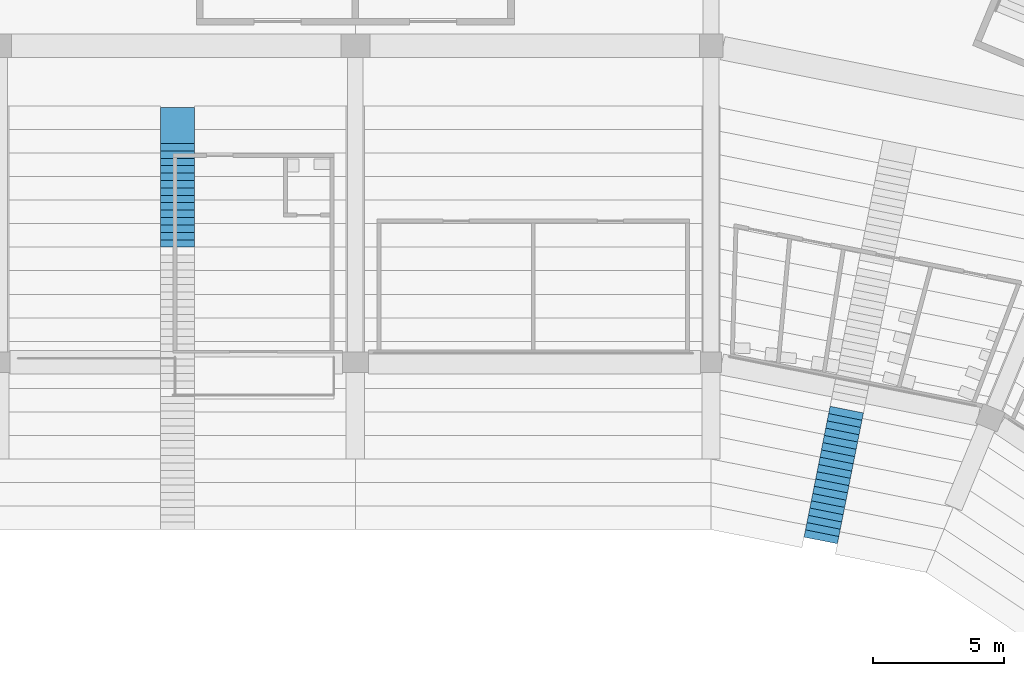
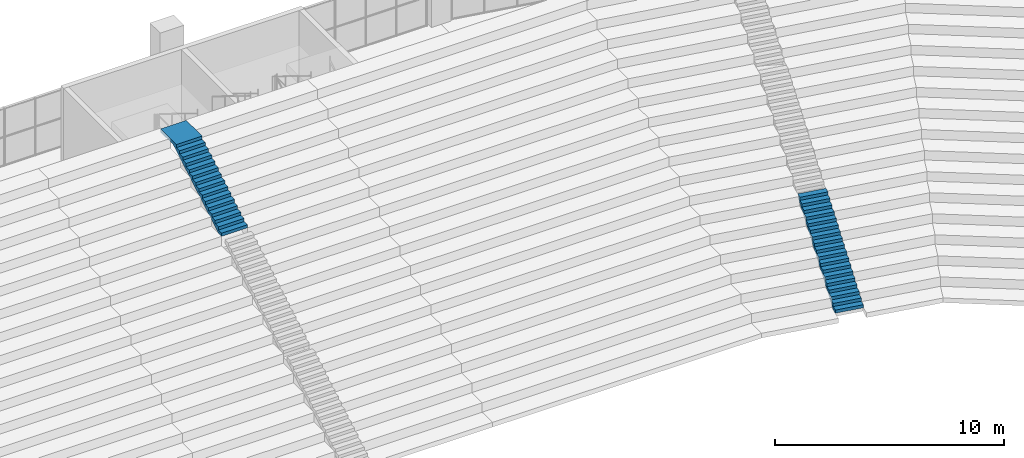
# One storey, part 205 of 249: 2 stair flights, 2 elements without a shape of their own.
"""IFC4 building model written with IfcOpenShell, lengths in metres."""

import ifcopenshell
import ifcopenshell.guid

model = None  # the IFC model being written
_history = None  # IfcOwnerHistory: only IFC2X3 demands one
_inside = {}  # id of a spatial element -> (the spatial element, [elements in it])
_under = {}  # id of a project, library or spatial element -> (it, [spatial elements below it])
_declared = {}  # id of a project -> (the project, [libraries it declares])
_typed = {}  # id of a type object -> (the type object, [elements of that type])
_made_of = {}  # id of a material, layer set ... -> (it, [elements and type objects made of it])


def new_model(schema):
    """Start an empty IFC model of exactly this schema.

    Asked for "IFC4X3", IfcOpenShell would pick the latest addendum, in which some entities
    have other attributes; the version numbers below select the first issue.
    IFC2X3 requires an IfcOwnerHistory on every rooted entity: one is made here for all.
    """
    global model, _history
    if schema == "IFC4X3":
        model = ifcopenshell.file(schema_version=(4, 3, 0, 0))
    else:
        model = ifcopenshell.file(schema=schema)
    _inside.clear()
    _under.clear()
    _declared.clear()
    _typed.clear()
    _made_of.clear()
    _history = None
    if model.schema == "IFC2X3":
        org = make("IfcOrganization", Name="unknown")
        user = make(
            "IfcPersonAndOrganization",
            ThePerson=make("IfcPerson", FamilyName="unknown"),
            TheOrganization=org,
        )
        app = make(
            "IfcApplication",
            ApplicationDeveloper=org,
            Version="unknown",
            ApplicationFullName="unknown",
            ApplicationIdentifier="unknown",
        )
        _history = make(
            "IfcOwnerHistory",
            OwningUser=user,
            OwningApplication=app,
            ChangeAction="ADDED",
            CreationDate=0,
        )
    return model


def make(cls, **values):
    """One entity of the class cls with the attributes given. An attribute that is None is left unset."""
    return model.create_entity(
        cls, **{name: value for name, value in values.items() if value is not None}
    )


def rooted(cls, **values):
    """An entity with a GlobalId (a new one), such as an element, a storey or a relation."""
    return make(cls, GlobalId=ifcopenshell.guid.new(), OwnerHistory=_history, **values)


def si_unit(unit_type, name, prefix=None):
    """IfcSIUnit, for example si_unit("LENGTHUNIT", "METRE", prefix="MILLI")."""
    return make("IfcSIUnit", UnitType=unit_type, Prefix=prefix, Name=name)


def assignment(units):
    """IfcUnitAssignment: the units of a project."""
    return None if units is None else make("IfcUnitAssignment", Units=units)


def point(xyz):
    """IfcCartesianPoint."""
    return None if xyz is None else make("IfcCartesianPoint", Coordinates=xyz)


def direction(xyz):
    """IfcDirection."""
    return None if xyz is None else make("IfcDirection", DirectionRatios=xyz)


def frame(location, z_axis=None, x_axis=None):
    """IfcAxis2Placement3D, a coordinate frame: its origin and axes. An axis left out is left unset."""
    return make(
        "IfcAxis2Placement3D",
        Location=point(location),
        Axis=direction(z_axis),
        RefDirection=direction(x_axis),
    )


def origin():
    """The frame at (0, 0, 0) with its axes left unset."""
    return frame((0.0, 0.0, 0.0))


def place(relative_to, where):
    """IfcLocalPlacement: puts the frame where relative to a parent placement (None: the world)."""
    return make(
        "IfcLocalPlacement", PlacementRelTo=relative_to, RelativePlacement=where
    )


def context(
    kind, dimensions, precision=None, world=None, true_north=None, identifier=None
):
    """IfcGeometricRepresentationContext, for example the 3D "Model" context."""
    return make(
        "IfcGeometricRepresentationContext",
        ContextIdentifier=identifier,
        ContextType=kind,
        CoordinateSpaceDimension=dimensions,
        Precision=precision,
        WorldCoordinateSystem=world,
        TrueNorth=true_north,
    )


def subcontext(parent, identifier, kind, view, scale=None):
    """IfcGeometricRepresentationSubContext, for example "Body" below "Model"."""
    return make(
        "IfcGeometricRepresentationSubContext",
        ContextIdentifier=identifier,
        ContextType=kind,
        ParentContext=parent,
        TargetScale=scale,
        TargetView=view,
    )


def project(units=None, contexts=None):
    """IfcProject with its units and contexts."""
    return rooted(
        "IfcProject",
        Name="project",
        RepresentationContexts=contexts,
        UnitsInContext=assignment(units),
    )


def spatial(cls, under=None, at=None, **own):
    """A site, building, storey or space (cls), placed at a placement, below another one or the project."""
    s = rooted(cls, ObjectPlacement=at, **own)
    if under is not None:
        _under.setdefault(under.id(), (under, []))[1].append(s)
    return s


def faces_of(points, faces, orient=None, outer=None):
    """IfcFace entities. A face is a list of loops; a loop is a list of indices into points, from 0.

    orient and outer hold one flag for each loop. By default every Orientation is true, the
    first loop of a face is its IfcFaceOuterBound and the others are IfcFaceBound.
    """
    made = []
    for i, loops in enumerate(faces):
        bounds = []
        for j, loop in enumerate(loops):
            is_outer = j == 0 if outer is None else outer[i][j]
            bounds.append(
                make(
                    "IfcFaceOuterBound" if is_outer else "IfcFaceBound",
                    Bound=make("IfcPolyLoop", Polygon=[points[k] for k in loop]),
                    Orientation=True if orient is None else orient[i][j],
                )
            )
        made.append(make("IfcFace", Bounds=bounds))
    return made


def faceted_brep(points, faces, orient=None, outer=None, voids=None):
    """IfcFacetedBrep: a solid bounded by flat faces; with voids (closed shells), ...WithVoids."""
    shared = [point(p) for p in points]
    hull = make("IfcClosedShell", CfsFaces=faces_of(shared, faces, orient, outer))
    if voids is None:
        return make("IfcFacetedBrep", Outer=hull)
    return make(
        "IfcFacetedBrepWithVoids",
        Outer=hull,
        Voids=[
            make(cls, CfsFaces=faces_of(shared, fs, o, b)) for cls, fs, o, b in voids
        ],
    )


def shape(context_of_items, identifier, shape_type, items):
    """IfcShapeRepresentation: the items that make up one representation, for example the "Body"."""
    return make(
        "IfcShapeRepresentation",
        ContextOfItems=context_of_items,
        RepresentationIdentifier=identifier,
        RepresentationType=shape_type,
        Items=items,
    )


def material(Name=None, Category=None):
    """IfcMaterial."""
    return make("IfcMaterial", Name=Name, Category=Category)


def made_of(thing, what):
    """Note that an element or type object is made of a material, layer set ...; save() writes the relation."""
    if what is not None:
        _made_of.setdefault(what.id(), (what, []))[1].append(thing)
    return thing


def type_object(cls, material=None, **own):
    """A type object (cls), such as IfcWallType, which elements share."""
    return made_of(rooted(cls, **own), material)


def element(
    cls,
    number,
    at=None,
    inside=None,
    cuts=None,
    type_object=None,
    material=None,
    context=None,
    identifier="Body",
    shape_type=None,
    held_by="IfcProductDefinitionShape",
    body=None,
    shapes=None,
    **own,
):
    """One element of the class cls, such as IfcWall. Its Tag is "e" and its number.

    at: its placement. inside: the storey or other place that contains it. cuts: it is an
    opening in that element (IfcRelVoidsElement). A single representation is given by context,
    identifier, shape_type and body (its items); several are given by shapes. held_by: the class
    of the entity that holds the representations. save() writes the other relations.
    """
    e = rooted(cls, Tag="e%d" % number, ObjectPlacement=at, **own)
    if body is not None:
        shapes = [shape(context, identifier, shape_type, body)]
    if shapes is not None:
        e.Representation = make(held_by, Representations=shapes)
    if inside is not None:
        _inside.setdefault(inside.id(), (inside, []))[1].append(e)
    if cuts is not None:
        rooted(
            "IfcRelVoidsElement", RelatingBuildingElement=cuts, RelatedOpeningElement=e
        )
    if type_object is not None:
        _typed.setdefault(type_object.id(), (type_object, []))[1].append(e)
    return made_of(e, material)


def aggregate(whole, parts):
    """IfcRelAggregates: a whole, such as a stair, and the parts it consists of."""
    return rooted("IfcRelAggregates", RelatingObject=whole, RelatedObjects=parts)


def save(model, path):
    """Write the relations noted so far, then the file.

    IfcRelAggregates (storeys below a building ...), IfcRelContainedInSpatialStructure (elements
    in a storey), IfcRelDefinesByType, IfcRelAssociatesMaterial and IfcRelDeclares: one each for
    every whole, place, type object, material and project.
    """
    for whole, parts in _under.values():
        aggregate(whole, parts)
    for where, things in _inside.values():
        rooted(
            "IfcRelContainedInSpatialStructure",
            RelatedElements=things,
            RelatingStructure=where,
        )
    for kind, things in _typed.values():
        rooted("IfcRelDefinesByType", RelatedObjects=things, RelatingType=kind)
    for what, things in _made_of.values():
        rooted("IfcRelAssociatesMaterial", RelatedObjects=things, RelatingMaterial=what)
    for by, libraries in _declared.values():
        rooted("IfcRelDeclares", RelatingContext=by, RelatedDefinitions=libraries)
    model.write(path)


model = new_model("IFC4")

# Units and contexts
model_context = context("Model", 3, precision=1e-05, world=origin(), true_north=direction((0.0, 1.0)))
body_context = subcontext(model_context, "Body", "Model", "MODEL_VIEW")
ifc_project = project(units=[si_unit("LENGTHUNIT", "METRE"), si_unit("AREAUNIT", "SQUARE_METRE"), si_unit("VOLUMEUNIT", "CUBIC_METRE"), si_unit("PLANEANGLEUNIT", "RADIAN"), si_unit("MASSUNIT", "GRAM", prefix="KILO")], contexts=[model_context])

# Site, building, storey
site_placement = place(None, origin())
site = spatial("IfcSite", under=ifc_project, at=site_placement, CompositionType="ELEMENT")
building_placement = place(site_placement, origin())
building = spatial("IfcBuilding", under=site, at=building_placement, Name="Ogive Plaza Stadium", CompositionType="ELEMENT")
storey_placement = place(building_placement, frame((0.0, 0.0, 13.5)))
storey = spatial("IfcBuildingStorey", under=building, at=storey_placement, Name="L03", CompositionType="ELEMENT", Elevation=13.5)

# Stair, stair flight
ifc_material_1 = material(Name="Concrete C40/50", Category="concrete")
stair_type = type_object("IfcStairType", Name="Aisle stair", PredefinedType="STRAIGHT_RUN_STAIR", material=ifc_material_1)
stair_1_placement = place(storey_placement, origin())
stair_1 = element("IfcStair", 1, at=stair_1_placement, inside=storey, type_object=stair_type, Name="Aisle stair SA35U", PredefinedType="STRAIGHT_RUN_STAIR")
ifc_material_2 = material(Name="Concrete C40/50", Category="concrete")
stair_flight_type = type_object("IfcStairFlightType", Name="Aisle stair flight", PredefinedType="STRAIGHT", material=ifc_material_2)
stair_flight_1_placement = place(storey_placement, frame((13.60009765625, 84.800048828125, 6.5), z_axis=(0.0, 0.0, 1.0), x_axis=(0.0, 1.0, 0.0)))
stair_flight_1 = element("IfcStairFlight", 2, at=stair_flight_1_placement, type_object=stair_flight_type, Name="SA35U flight 3", NumberOfRisers=15, NumberOfTreads=14, PredefinedType="STRAIGHT", RiserHeight=0.166666667, TreadLength=0.283333333, context=body_context, shape_type="Brep", body=[
    faceted_brep([(0.295654296875, -0.64990234375, 0.0), (4.25, -0.64990234375, 2.326171875), (5.35009765625, -0.64990234375, 2.326171875), (5.35009765625, -0.64990234375, 2.5), (3.966552734375, -0.64990234375, 2.5), (3.966552734375, -0.64990234375, 2.333251953125), (3.683349609375, -0.64990234375, 2.333251953125), (3.683349609375, -0.64990234375, 2.166748046875), (3.39990234375, -0.64990234375, 2.166748046875), (3.39990234375, -0.64990234375, 2.0), (3.11669921875, -0.64990234375, 2.0), (3.11669921875, -0.64990234375, 1.833251953125), (2.833251953125, -0.64990234375, 1.833251953125), (2.833251953125, -0.64990234375, 1.666748046875), (2.550048828125, -0.64990234375, 1.666748046875), (2.550048828125, -0.64990234375, 1.5), (2.2666015625, -0.64990234375, 1.5), (2.2666015625, -0.64990234375, 1.333251953125), (1.9833984375, -0.64990234375, 1.333251953125), (1.9833984375, -0.64990234375, 1.166748046875), (1.699951171875, -0.64990234375, 1.166748046875), (1.699951171875, -0.64990234375, 1.0), (1.416748046875, -0.64990234375, 1.0), (1.416748046875, -0.64990234375, 0.833251953125), (1.13330078125, -0.64990234375, 0.833251953125), (1.13330078125, -0.64990234375, 0.666748046875), (0.85009765625, -0.64990234375, 0.666748046875), (0.85009765625, -0.64990234375, 0.5), (0.566650390625, -0.64990234375, 0.5), (0.566650390625, -0.64990234375, 0.333251953125), (0.283447265625, -0.64990234375, 0.333251953125), (0.283447265625, -0.64990234375, 0.166748046875), (0.0, -0.64990234375, 0.166748046875), (0.0, -0.64990234375, 0.0), (0.0, 0.64990234375, 0.0), (0.0, 0.64990234375, 0.166748046875), (0.283447265625, 0.64990234375, 0.166748046875), (0.283447265625, 0.64990234375, 0.333251953125), (0.566650390625, 0.64990234375, 0.333251953125), (0.566650390625, 0.64990234375, 0.5), (0.85009765625, 0.64990234375, 0.5), (0.85009765625, 0.64990234375, 0.666748046875), (1.13330078125, 0.64990234375, 0.666748046875), (1.13330078125, 0.64990234375, 0.833251953125), (1.416748046875, 0.64990234375, 0.833251953125), (1.416748046875, 0.64990234375, 1.0), (1.699951171875, 0.64990234375, 1.0), (1.699951171875, 0.64990234375, 1.166748046875), (1.9833984375, 0.64990234375, 1.166748046875), (1.9833984375, 0.64990234375, 1.333251953125), (2.2666015625, 0.64990234375, 1.333251953125), (2.2666015625, 0.64990234375, 1.5), (2.550048828125, 0.64990234375, 1.5), (2.550048828125, 0.64990234375, 1.666748046875), (2.833251953125, 0.64990234375, 1.666748046875), (2.833251953125, 0.64990234375, 1.833251953125), (3.11669921875, 0.64990234375, 1.833251953125), (3.11669921875, 0.64990234375, 2.0), (3.39990234375, 0.64990234375, 2.0), (3.39990234375, 0.64990234375, 2.166748046875), (3.683349609375, 0.64990234375, 2.166748046875), (3.683349609375, 0.64990234375, 2.333251953125), (3.966552734375, 0.64990234375, 2.333251953125), (3.966552734375, 0.64990234375, 2.5), (5.35009765625, 0.64990234375, 2.5), (5.35009765625, 0.64990234375, 2.326171875), (4.25, 0.64990234375, 2.326171875), (0.295654296875, 0.64990234375, 0.0), (0.295654296875, -0.324951171875, 0.0), (4.25, -0.324951171875, 2.326171875), (0.295654296875, 0.0, 0.0), (4.25, 0.0, 2.326171875), (0.295654296875, 0.324951171875, 0.0), (4.25, 0.324951171875, 2.326171875), (5.35009765625, -0.324951171875, 2.326171875), (5.35009765625, 0.0, 2.326171875), (5.35009765625, 0.324951171875, 2.326171875), (5.35009765625, -0.324951171875, 2.5), (5.35009765625, 0.0, 2.5), (5.35009765625, 0.324951171875, 2.5), (3.966552734375, -0.324951171875, 2.5), (3.966552734375, 0.0, 2.5), (3.966552734375, 0.324951171875, 2.5), (3.966552734375, -0.324951171875, 2.333251953125), (3.966552734375, 0.0, 2.333251953125), (3.966552734375, 0.324951171875, 2.333251953125), (3.683349609375, -0.324951171875, 2.333251953125), (3.683349609375, 0.0, 2.333251953125), (3.683349609375, 0.324951171875, 2.333251953125), (3.683349609375, -0.324951171875, 2.166748046875), (3.683349609375, 0.0, 2.166748046875), (3.683349609375, 0.324951171875, 2.166748046875), (3.39990234375, -0.324951171875, 2.166748046875), (3.39990234375, 0.0, 2.166748046875), (3.39990234375, 0.324951171875, 2.166748046875), (3.39990234375, -0.324951171875, 2.0), (3.39990234375, 0.0, 2.0), (3.39990234375, 0.324951171875, 2.0), (3.11669921875, -0.324951171875, 2.0), (3.11669921875, 0.0, 2.0), (3.11669921875, 0.324951171875, 2.0), (3.11669921875, -0.324951171875, 1.833251953125), (3.11669921875, 0.0, 1.833251953125), (3.11669921875, 0.324951171875, 1.833251953125), (2.833251953125, -0.324951171875, 1.833251953125), (2.833251953125, 0.0, 1.833251953125), (2.833251953125, 0.324951171875, 1.833251953125), (2.833251953125, -0.324951171875, 1.666748046875), (2.833251953125, 0.0, 1.666748046875), (2.833251953125, 0.324951171875, 1.666748046875), (2.550048828125, -0.324951171875, 1.666748046875), (2.550048828125, 0.0, 1.666748046875), (2.550048828125, 0.324951171875, 1.666748046875), (2.550048828125, -0.324951171875, 1.5), (2.550048828125, 0.0, 1.5), (2.550048828125, 0.324951171875, 1.5), (2.2666015625, -0.324951171875, 1.5), (2.2666015625, 0.0, 1.5), (2.2666015625, 0.324951171875, 1.5), (2.2666015625, -0.324951171875, 1.333251953125), (2.2666015625, 0.0, 1.333251953125), (2.2666015625, 0.324951171875, 1.333251953125), (1.9833984375, -0.324951171875, 1.333251953125), (1.9833984375, 0.0, 1.333251953125), (1.9833984375, 0.324951171875, 1.333251953125), (1.9833984375, -0.324951171875, 1.166748046875), (1.9833984375, 0.0, 1.166748046875), (1.9833984375, 0.324951171875, 1.166748046875), (1.699951171875, -0.324951171875, 1.166748046875), (1.699951171875, 0.0, 1.166748046875), (1.699951171875, 0.324951171875, 1.166748046875), (1.699951171875, -0.324951171875, 1.0), (1.699951171875, 0.0, 1.0), (1.699951171875, 0.324951171875, 1.0), (1.416748046875, -0.324951171875, 1.0), (1.416748046875, 0.0, 1.0), (1.416748046875, 0.324951171875, 1.0), (1.416748046875, -0.324951171875, 0.833251953125), (1.416748046875, 0.0, 0.833251953125), (1.416748046875, 0.324951171875, 0.833251953125), (1.13330078125, -0.324951171875, 0.833251953125), (1.13330078125, 0.0, 0.833251953125), (1.13330078125, 0.324951171875, 0.833251953125), (1.13330078125, -0.324951171875, 0.666748046875), (1.13330078125, 0.0, 0.666748046875), (1.13330078125, 0.324951171875, 0.666748046875), (0.85009765625, -0.324951171875, 0.666748046875), (0.85009765625, 0.0, 0.666748046875), (0.85009765625, 0.324951171875, 0.666748046875), (0.85009765625, -0.324951171875, 0.5), (0.85009765625, 0.0, 0.5), (0.85009765625, 0.324951171875, 0.5), (0.566650390625, -0.324951171875, 0.5), (0.566650390625, 0.0, 0.5), (0.566650390625, 0.324951171875, 0.5), (0.566650390625, -0.324951171875, 0.333251953125), (0.566650390625, 0.0, 0.333251953125), (0.566650390625, 0.324951171875, 0.333251953125), (0.283447265625, -0.324951171875, 0.333251953125), (0.283447265625, 0.0, 0.333251953125), (0.283447265625, 0.324951171875, 0.333251953125), (0.283447265625, -0.324951171875, 0.166748046875), (0.283447265625, 0.0, 0.166748046875), (0.283447265625, 0.324951171875, 0.166748046875), (0.0, -0.324951171875, 0.166748046875), (0.0, 0.0, 0.166748046875), (0.0, 0.324951171875, 0.166748046875), (0.0, -0.324951171875, 0.0), (0.0, 0.0, 0.0), (0.0, 0.324951171875, 0.0)], [[[0, 1, 2, 3, 4, 5, 6, 7, 8, 9, 10, 11, 12, 13, 14, 15, 16, 17, 18, 19, 20, 21, 22, 23, 24, 25, 26, 27, 28, 29, 30, 31, 32, 33]], [[34, 35, 36, 37, 38, 39, 40, 41, 42, 43, 44, 45, 46, 47, 48, 49, 50, 51, 52, 53, 54, 55, 56, 57, 58, 59, 60, 61, 62, 63, 64, 65, 66, 67]], [[0, 68, 69, 1]], [[68, 70, 71, 69]], [[70, 72, 73, 71]], [[72, 67, 66, 73]], [[1, 69, 74, 2]], [[69, 71, 75, 74]], [[71, 73, 76, 75]], [[73, 66, 65, 76]], [[2, 74, 77, 3]], [[74, 75, 78, 77]], [[75, 76, 79, 78]], [[76, 65, 64, 79]], [[3, 77, 80, 4]], [[77, 78, 81, 80]], [[78, 79, 82, 81]], [[79, 64, 63, 82]], [[4, 80, 83, 5]], [[80, 81, 84, 83]], [[81, 82, 85, 84]], [[82, 63, 62, 85]], [[5, 83, 86, 6]], [[83, 84, 87, 86]], [[84, 85, 88, 87]], [[85, 62, 61, 88]], [[6, 86, 89, 7]], [[86, 87, 90, 89]], [[87, 88, 91, 90]], [[88, 61, 60, 91]], [[7, 89, 92, 8]], [[89, 90, 93, 92]], [[90, 91, 94, 93]], [[91, 60, 59, 94]], [[8, 92, 95, 9]], [[92, 93, 96, 95]], [[93, 94, 97, 96]], [[94, 59, 58, 97]], [[9, 95, 98, 10]], [[95, 96, 99, 98]], [[96, 97, 100, 99]], [[97, 58, 57, 100]], [[10, 98, 101, 11]], [[98, 99, 102, 101]], [[99, 100, 103, 102]], [[100, 57, 56, 103]], [[11, 101, 104, 12]], [[101, 102, 105, 104]], [[102, 103, 106, 105]], [[103, 56, 55, 106]], [[12, 104, 107, 13]], [[104, 105, 108, 107]], [[105, 106, 109, 108]], [[106, 55, 54, 109]], [[13, 107, 110, 14]], [[107, 108, 111, 110]], [[108, 109, 112, 111]], [[109, 54, 53, 112]], [[14, 110, 113, 15]], [[110, 111, 114, 113]], [[111, 112, 115, 114]], [[112, 53, 52, 115]], [[15, 113, 116, 16]], [[113, 114, 117, 116]], [[114, 115, 118, 117]], [[115, 52, 51, 118]], [[16, 116, 119, 17]], [[116, 117, 120, 119]], [[117, 118, 121, 120]], [[118, 51, 50, 121]], [[17, 119, 122, 18]], [[119, 120, 123, 122]], [[120, 121, 124, 123]], [[121, 50, 49, 124]], [[18, 122, 125, 19]], [[122, 123, 126, 125]], [[123, 124, 127, 126]], [[124, 49, 48, 127]], [[19, 125, 128, 20]], [[125, 126, 129, 128]], [[126, 127, 130, 129]], [[127, 48, 47, 130]], [[20, 128, 131, 21]], [[128, 129, 132, 131]], [[129, 130, 133, 132]], [[130, 47, 46, 133]], [[21, 131, 134, 22]], [[131, 132, 135, 134]], [[132, 133, 136, 135]], [[133, 46, 45, 136]], [[22, 134, 137, 23]], [[134, 135, 138, 137]], [[135, 136, 139, 138]], [[136, 45, 44, 139]], [[23, 137, 140, 24]], [[137, 138, 141, 140]], [[138, 139, 142, 141]], [[139, 44, 43, 142]], [[24, 140, 143, 25]], [[140, 141, 144, 143]], [[141, 142, 145, 144]], [[142, 43, 42, 145]], [[25, 143, 146, 26]], [[143, 144, 147, 146]], [[144, 145, 148, 147]], [[145, 42, 41, 148]], [[26, 146, 149, 27]], [[146, 147, 150, 149]], [[147, 148, 151, 150]], [[148, 41, 40, 151]], [[27, 149, 152, 28]], [[149, 150, 153, 152]], [[150, 151, 154, 153]], [[151, 40, 39, 154]], [[28, 152, 155, 29]], [[152, 153, 156, 155]], [[153, 154, 157, 156]], [[154, 39, 38, 157]], [[29, 155, 158, 30]], [[155, 156, 159, 158]], [[156, 157, 160, 159]], [[157, 38, 37, 160]], [[30, 158, 161, 31]], [[158, 159, 162, 161]], [[159, 160, 163, 162]], [[160, 37, 36, 163]], [[31, 161, 164, 32]], [[161, 162, 165, 164]], [[162, 163, 166, 165]], [[163, 36, 35, 166]], [[32, 164, 167, 33]], [[164, 165, 168, 167]], [[165, 166, 169, 168]], [[166, 35, 34, 169]], [[33, 167, 68, 0]], [[167, 168, 70, 68]], [[168, 169, 72, 70]], [[169, 34, 67, 72]]]),
])
aggregate(stair_1, [stair_flight_1])

stair_2_placement = place(storey_placement, origin())
stair_2 = element("IfcStair", 3, at=stair_2_placement, inside=storey, type_object=stair_type, Name="Aisle stair SA37U", PredefinedType="STRAIGHT_RUN_STAIR")
stair_flight_2_placement = place(storey_placement, frame((38.1943359375, 73.5869140625, 0.5), z_axis=(0.0, 0.0, 1.0), x_axis=(0.195090322016, 0.980785280403, 0.0)))
stair_flight_2 = element("IfcStairFlight", 4, at=stair_flight_2_placement, type_object=stair_flight_type, Name="SA37U flight 1", NumberOfRisers=18, NumberOfTreads=17, PredefinedType="STRAIGHT", RiserHeight=0.166666667, TreadLength=0.283333333, context=body_context, shape_type="Brep", body=[
    faceted_brep([(0.295654296875, -0.64990234375, 0.0), (5.10009765625, -0.64990234375, 2.826171875), (5.10009765625, -0.64990234375, 3.0), (4.816650390625, -0.64990234375, 3.0), (4.816650390625, -0.64990234375, 2.833251953125), (4.533447265625, -0.64990234375, 2.833251953125), (4.533447265625, -0.64990234375, 2.666748046875), (4.25, -0.64990234375, 2.666748046875), (4.25, -0.64990234375, 2.5), (3.966552734375, -0.64990234375, 2.5), (3.966552734375, -0.64990234375, 2.333251953125), (3.683349609375, -0.64990234375, 2.333251953125), (3.683349609375, -0.64990234375, 2.166748046875), (3.39990234375, -0.64990234375, 2.166748046875), (3.39990234375, -0.64990234375, 2.0), (3.11669921875, -0.64990234375, 2.0), (3.11669921875, -0.64990234375, 1.833251953125), (2.833251953125, -0.64990234375, 1.833251953125), (2.833251953125, -0.64990234375, 1.666748046875), (2.550048828125, -0.64990234375, 1.666748046875), (2.550048828125, -0.64990234375, 1.5), (2.2666015625, -0.64990234375, 1.5), (2.2666015625, -0.64990234375, 1.333251953125), (1.9833984375, -0.64990234375, 1.333251953125), (1.9833984375, -0.64990234375, 1.166748046875), (1.699951171875, -0.64990234375, 1.166748046875), (1.699951171875, -0.64990234375, 1.0), (1.416748046875, -0.64990234375, 1.0), (1.416748046875, -0.64990234375, 0.833251953125), (1.13330078125, -0.64990234375, 0.833251953125), (1.13330078125, -0.64990234375, 0.666748046875), (0.85009765625, -0.64990234375, 0.666748046875), (0.85009765625, -0.64990234375, 0.5), (0.566650390625, -0.64990234375, 0.5), (0.566650390625, -0.64990234375, 0.333251953125), (0.283447265625, -0.64990234375, 0.333251953125), (0.283447265625, -0.64990234375, 0.166748046875), (0.0, -0.64990234375, 0.166748046875), (0.0, -0.64990234375, 0.0), (0.0, 0.64990234375, 0.0), (0.0, 0.64990234375, 0.166748046875), (0.283447265625, 0.64990234375, 0.166748046875), (0.283447265625, 0.64990234375, 0.333251953125), (0.566650390625, 0.64990234375, 0.333251953125), (0.566650390625, 0.64990234375, 0.5), (0.85009765625, 0.64990234375, 0.5), (0.85009765625, 0.64990234375, 0.666748046875), (1.13330078125, 0.64990234375, 0.666748046875), (1.13330078125, 0.64990234375, 0.833251953125), (1.416748046875, 0.64990234375, 0.833251953125), (1.416748046875, 0.64990234375, 1.0), (1.699951171875, 0.64990234375, 1.0), (1.699951171875, 0.64990234375, 1.166748046875), (1.9833984375, 0.64990234375, 1.166748046875), (1.9833984375, 0.64990234375, 1.333251953125), (2.2666015625, 0.64990234375, 1.333251953125), (2.2666015625, 0.64990234375, 1.5), (2.550048828125, 0.64990234375, 1.5), (2.550048828125, 0.64990234375, 1.666748046875), (2.833251953125, 0.64990234375, 1.666748046875), (2.833251953125, 0.64990234375, 1.833251953125), (3.11669921875, 0.64990234375, 1.833251953125), (3.11669921875, 0.64990234375, 2.0), (3.39990234375, 0.64990234375, 2.0), (3.39990234375, 0.64990234375, 2.166748046875), (3.683349609375, 0.64990234375, 2.166748046875), (3.683349609375, 0.64990234375, 2.333251953125), (3.966552734375, 0.64990234375, 2.333251953125), (3.966552734375, 0.64990234375, 2.5), (4.25, 0.64990234375, 2.5), (4.25, 0.64990234375, 2.666748046875), (4.533447265625, 0.64990234375, 2.666748046875), (4.533447265625, 0.64990234375, 2.833251953125), (4.816650390625, 0.64990234375, 2.833251953125), (4.816650390625, 0.64990234375, 3.0), (5.10009765625, 0.64990234375, 3.0), (5.10009765625, 0.64990234375, 2.826171875), (0.295654296875, 0.64990234375, 0.0), (0.295654296875, -0.324951171875, 0.0), (5.10009765625, -0.324951171875, 2.826171875), (0.295654296875, 0.0, 0.0), (5.10009765625, 0.0, 2.826171875), (0.295654296875, 0.324951171875, 0.0), (5.10009765625, 0.324951171875, 2.826171875), (5.10009765625, -0.324951171875, 3.0), (5.10009765625, 0.0, 3.0), (5.10009765625, 0.324951171875, 3.0), (4.816650390625, -0.324951171875, 3.0), (4.816650390625, 0.0, 3.0), (4.816650390625, 0.324951171875, 3.0), (4.816650390625, -0.324951171875, 2.833251953125), (4.816650390625, 0.0, 2.833251953125), (4.816650390625, 0.324951171875, 2.833251953125), (4.533447265625, -0.324951171875, 2.833251953125), (4.533447265625, 0.0, 2.833251953125), (4.533447265625, 0.324951171875, 2.833251953125), (4.533447265625, -0.324951171875, 2.666748046875), (4.533447265625, 0.0, 2.666748046875), (4.533447265625, 0.324951171875, 2.666748046875), (4.25, -0.324951171875, 2.666748046875), (4.25, 0.0, 2.666748046875), (4.25, 0.324951171875, 2.666748046875), (4.25, -0.324951171875, 2.5), (4.25, 0.0, 2.5), (4.25, 0.324951171875, 2.5), (3.966552734375, -0.324951171875, 2.5), (3.966552734375, 0.0, 2.5), (3.966552734375, 0.324951171875, 2.5), (3.966552734375, -0.324951171875, 2.333251953125), (3.966552734375, 0.0, 2.333251953125), (3.966552734375, 0.324951171875, 2.333251953125), (3.683349609375, -0.324951171875, 2.333251953125), (3.683349609375, 0.0, 2.333251953125), (3.683349609375, 0.324951171875, 2.333251953125), (3.683349609375, -0.324951171875, 2.166748046875), (3.683349609375, 0.0, 2.166748046875), (3.683349609375, 0.324951171875, 2.166748046875), (3.39990234375, -0.324951171875, 2.166748046875), (3.39990234375, 0.0, 2.166748046875), (3.39990234375, 0.324951171875, 2.166748046875), (3.39990234375, -0.324951171875, 2.0), (3.39990234375, 0.0, 2.0), (3.39990234375, 0.324951171875, 2.0), (3.11669921875, -0.324951171875, 2.0), (3.11669921875, 0.0, 2.0), (3.11669921875, 0.324951171875, 2.0), (3.11669921875, -0.324951171875, 1.833251953125), (3.11669921875, 0.0, 1.833251953125), (3.11669921875, 0.324951171875, 1.833251953125), (2.833251953125, -0.324951171875, 1.833251953125), (2.833251953125, 0.0, 1.833251953125), (2.833251953125, 0.324951171875, 1.833251953125), (2.833251953125, -0.324951171875, 1.666748046875), (2.833251953125, 0.0, 1.666748046875), (2.833251953125, 0.324951171875, 1.666748046875), (2.550048828125, -0.324951171875, 1.666748046875), (2.550048828125, 0.0, 1.666748046875), (2.550048828125, 0.324951171875, 1.666748046875), (2.550048828125, -0.324951171875, 1.5), (2.550048828125, 0.0, 1.5), (2.550048828125, 0.324951171875, 1.5), (2.2666015625, -0.324951171875, 1.5), (2.2666015625, 0.0, 1.5), (2.2666015625, 0.324951171875, 1.5), (2.2666015625, -0.324951171875, 1.333251953125), (2.2666015625, 0.0, 1.333251953125), (2.2666015625, 0.324951171875, 1.333251953125), (1.9833984375, -0.324951171875, 1.333251953125), (1.9833984375, 0.0, 1.333251953125), (1.9833984375, 0.324951171875, 1.333251953125), (1.9833984375, -0.324951171875, 1.166748046875), (1.9833984375, 0.0, 1.166748046875), (1.9833984375, 0.324951171875, 1.166748046875), (1.699951171875, -0.324951171875, 1.166748046875), (1.699951171875, 0.0, 1.166748046875), (1.699951171875, 0.324951171875, 1.166748046875), (1.699951171875, -0.324951171875, 1.0), (1.699951171875, 0.0, 1.0), (1.699951171875, 0.324951171875, 1.0), (1.416748046875, -0.324951171875, 1.0), (1.416748046875, 0.0, 1.0), (1.416748046875, 0.324951171875, 1.0), (1.416748046875, -0.324951171875, 0.833251953125), (1.416748046875, 0.0, 0.833251953125), (1.416748046875, 0.324951171875, 0.833251953125), (1.13330078125, -0.324951171875, 0.833251953125), (1.13330078125, 0.0, 0.833251953125), (1.13330078125, 0.324951171875, 0.833251953125), (1.13330078125, -0.324951171875, 0.666748046875), (1.13330078125, 0.0, 0.666748046875), (1.13330078125, 0.324951171875, 0.666748046875), (0.85009765625, -0.324951171875, 0.666748046875), (0.85009765625, 0.0, 0.666748046875), (0.85009765625, 0.324951171875, 0.666748046875), (0.85009765625, -0.324951171875, 0.5), (0.85009765625, 0.0, 0.5), (0.85009765625, 0.324951171875, 0.5), (0.566650390625, -0.324951171875, 0.5), (0.566650390625, 0.0, 0.5), (0.566650390625, 0.324951171875, 0.5), (0.566650390625, -0.324951171875, 0.333251953125), (0.566650390625, 0.0, 0.333251953125), (0.566650390625, 0.324951171875, 0.333251953125), (0.283447265625, -0.324951171875, 0.333251953125), (0.283447265625, 0.0, 0.333251953125), (0.283447265625, 0.324951171875, 0.333251953125), (0.283447265625, -0.324951171875, 0.166748046875), (0.283447265625, 0.0, 0.166748046875), (0.283447265625, 0.324951171875, 0.166748046875), (0.0, -0.324951171875, 0.166748046875), (0.0, 0.0, 0.166748046875), (0.0, 0.324951171875, 0.166748046875), (0.0, -0.324951171875, 0.0), (0.0, 0.0, 0.0), (0.0, 0.324951171875, 0.0)], [[[0, 1, 2, 3, 4, 5, 6, 7, 8, 9, 10, 11, 12, 13, 14, 15, 16, 17, 18, 19, 20, 21, 22, 23, 24, 25, 26, 27, 28, 29, 30, 31, 32, 33, 34, 35, 36, 37, 38]], [[39, 40, 41, 42, 43, 44, 45, 46, 47, 48, 49, 50, 51, 52, 53, 54, 55, 56, 57, 58, 59, 60, 61, 62, 63, 64, 65, 66, 67, 68, 69, 70, 71, 72, 73, 74, 75, 76, 77]], [[0, 78, 79, 1]], [[78, 80, 81, 79]], [[80, 82, 83, 81]], [[82, 77, 76, 83]], [[1, 79, 84, 2]], [[79, 81, 85, 84]], [[81, 83, 86, 85]], [[83, 76, 75, 86]], [[2, 84, 87, 3]], [[84, 85, 88, 87]], [[85, 86, 89, 88]], [[86, 75, 74, 89]], [[3, 87, 90, 4]], [[87, 88, 91, 90]], [[88, 89, 92, 91]], [[89, 74, 73, 92]], [[4, 90, 93, 5]], [[90, 91, 94, 93]], [[91, 92, 95, 94]], [[92, 73, 72, 95]], [[5, 93, 96, 6]], [[93, 94, 97, 96]], [[94, 95, 98, 97]], [[95, 72, 71, 98]], [[6, 96, 99, 7]], [[96, 97, 100, 99]], [[97, 98, 101, 100]], [[98, 71, 70, 101]], [[7, 99, 102, 8]], [[99, 100, 103, 102]], [[100, 101, 104, 103]], [[101, 70, 69, 104]], [[8, 102, 105, 9]], [[102, 103, 106, 105]], [[103, 104, 107, 106]], [[104, 69, 68, 107]], [[9, 105, 108, 10]], [[105, 106, 109, 108]], [[106, 107, 110, 109]], [[107, 68, 67, 110]], [[10, 108, 111, 11]], [[108, 109, 112, 111]], [[109, 110, 113, 112]], [[110, 67, 66, 113]], [[11, 111, 114, 12]], [[111, 112, 115, 114]], [[112, 113, 116, 115]], [[113, 66, 65, 116]], [[12, 114, 117, 13]], [[114, 115, 118, 117]], [[115, 116, 119, 118]], [[116, 65, 64, 119]], [[13, 117, 120, 14]], [[117, 118, 121, 120]], [[118, 119, 122, 121]], [[119, 64, 63, 122]], [[14, 120, 123, 15]], [[120, 121, 124, 123]], [[121, 122, 125, 124]], [[122, 63, 62, 125]], [[15, 123, 126, 16]], [[123, 124, 127, 126]], [[124, 125, 128, 127]], [[125, 62, 61, 128]], [[16, 126, 129, 17]], [[126, 127, 130, 129]], [[127, 128, 131, 130]], [[128, 61, 60, 131]], [[17, 129, 132, 18]], [[129, 130, 133, 132]], [[130, 131, 134, 133]], [[131, 60, 59, 134]], [[18, 132, 135, 19]], [[132, 133, 136, 135]], [[133, 134, 137, 136]], [[134, 59, 58, 137]], [[19, 135, 138, 20]], [[135, 136, 139, 138]], [[136, 137, 140, 139]], [[137, 58, 57, 140]], [[20, 138, 141, 21]], [[138, 139, 142, 141]], [[139, 140, 143, 142]], [[140, 57, 56, 143]], [[21, 141, 144, 22]], [[141, 142, 145, 144]], [[142, 143, 146, 145]], [[143, 56, 55, 146]], [[22, 144, 147, 23]], [[144, 145, 148, 147]], [[145, 146, 149, 148]], [[146, 55, 54, 149]], [[23, 147, 150, 24]], [[147, 148, 151, 150]], [[148, 149, 152, 151]], [[149, 54, 53, 152]], [[24, 150, 153, 25]], [[150, 151, 154, 153]], [[151, 152, 155, 154]], [[152, 53, 52, 155]], [[25, 153, 156, 26]], [[153, 154, 157, 156]], [[154, 155, 158, 157]], [[155, 52, 51, 158]], [[26, 156, 159, 27]], [[156, 157, 160, 159]], [[157, 158, 161, 160]], [[158, 51, 50, 161]], [[27, 159, 162, 28]], [[159, 160, 163, 162]], [[160, 161, 164, 163]], [[161, 50, 49, 164]], [[28, 162, 165, 29]], [[162, 163, 166, 165]], [[163, 164, 167, 166]], [[164, 49, 48, 167]], [[29, 165, 168, 30]], [[165, 166, 169, 168]], [[166, 167, 170, 169]], [[167, 48, 47, 170]], [[30, 168, 171, 31]], [[168, 169, 172, 171]], [[169, 170, 173, 172]], [[170, 47, 46, 173]], [[31, 171, 174, 32]], [[171, 172, 175, 174]], [[172, 173, 176, 175]], [[173, 46, 45, 176]], [[32, 174, 177, 33]], [[174, 175, 178, 177]], [[175, 176, 179, 178]], [[176, 45, 44, 179]], [[33, 177, 180, 34]], [[177, 178, 181, 180]], [[178, 179, 182, 181]], [[179, 44, 43, 182]], [[34, 180, 183, 35]], [[180, 181, 184, 183]], [[181, 182, 185, 184]], [[182, 43, 42, 185]], [[35, 183, 186, 36]], [[183, 184, 187, 186]], [[184, 185, 188, 187]], [[185, 42, 41, 188]], [[36, 186, 189, 37]], [[186, 187, 190, 189]], [[187, 188, 191, 190]], [[188, 41, 40, 191]], [[37, 189, 192, 38]], [[189, 190, 193, 192]], [[190, 191, 194, 193]], [[191, 40, 39, 194]], [[38, 192, 78, 0]], [[192, 193, 80, 78]], [[193, 194, 82, 80]], [[194, 39, 77, 82]]]),
])
aggregate(stair_2, [stair_flight_2])

save(model, "model.ifc")
